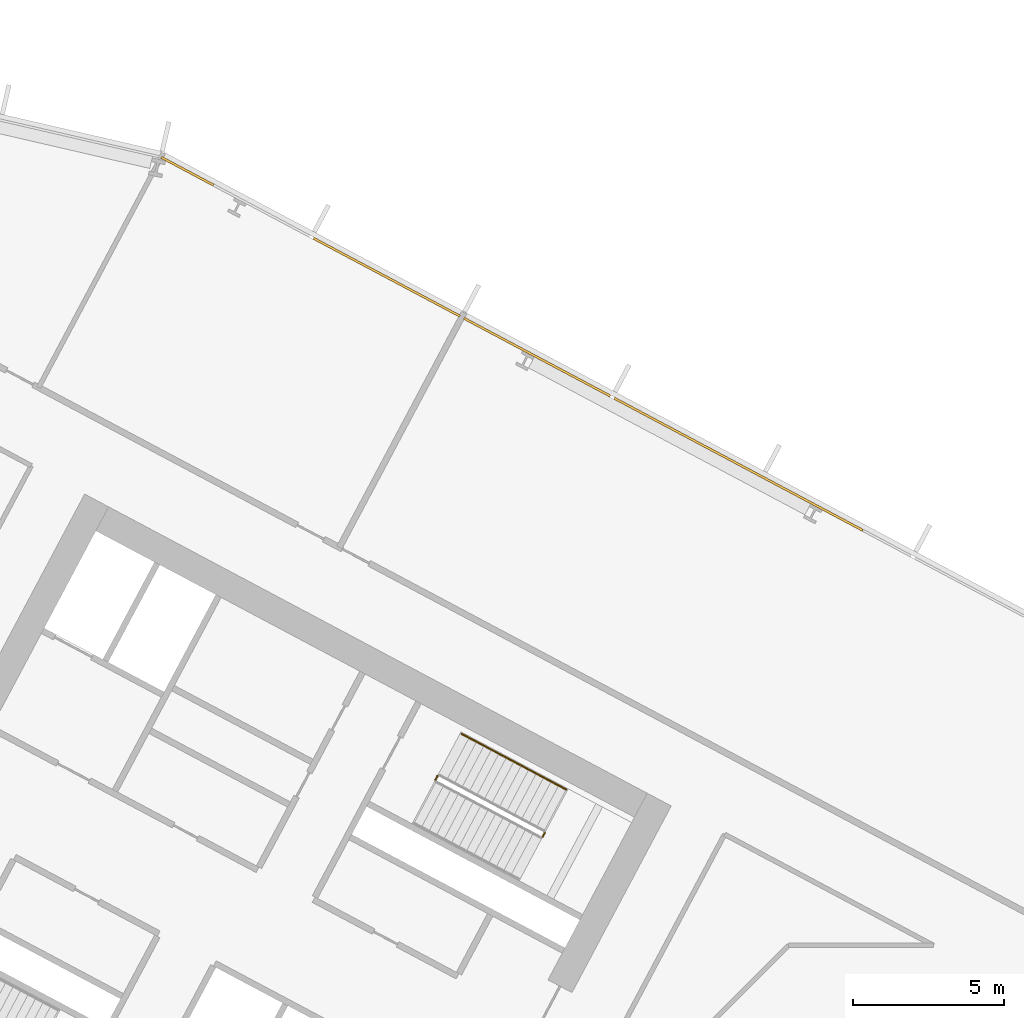
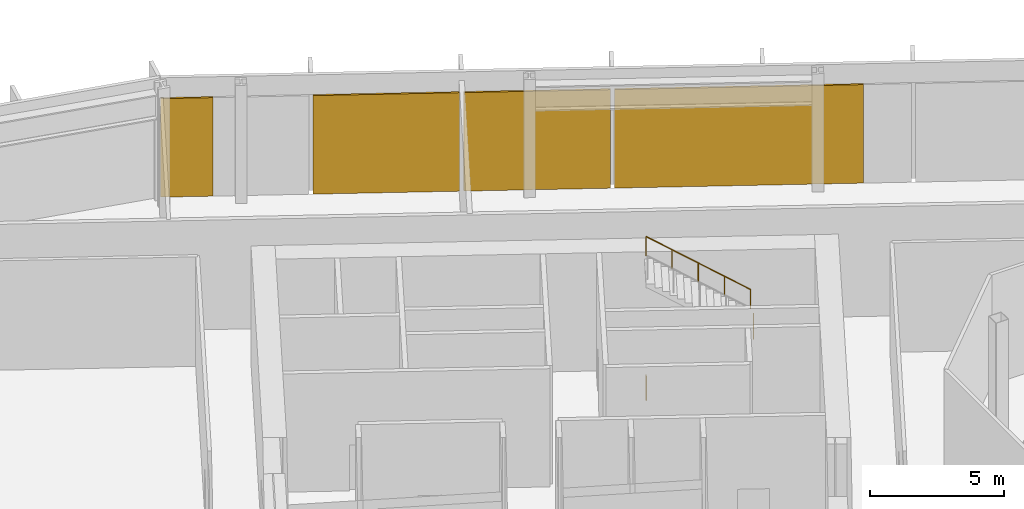
# One storey, part 25 of 32: 4 coverings, 3 railings, 1 element without a shape of its own.
"""IFC4 building model written with IfcOpenShell, lengths in metres."""

from ifc_helpers import new_model, si_unit, direction, frame, origin, origin_2d, place, context, subcontext, project, spatial, polyline, rectangle, outline, extrude, material, layer, layer_set, type_object, element, aggregate, save


model = new_model("IFC4")

# Units and contexts
model_context = context("Model", 3, precision=1e-05, world=origin(), true_north=direction((0.0, 1.0)))
body_context = subcontext(model_context, "Body", "Model", "MODEL_VIEW")
ifc_project = project(units=[si_unit("LENGTHUNIT", "METRE"), si_unit("AREAUNIT", "SQUARE_METRE"), si_unit("VOLUMEUNIT", "CUBIC_METRE"), si_unit("PLANEANGLEUNIT", "RADIAN"), si_unit("MASSUNIT", "GRAM", prefix="KILO")], contexts=[model_context])

# Site, building, storey
site_placement = place(None, origin())
site = spatial("IfcSite", under=ifc_project, at=site_placement, CompositionType="ELEMENT")
building_placement = place(site_placement, origin())
building = spatial("IfcBuilding", under=site, at=building_placement, Name="Cormorant Relay Tower", CompositionType="ELEMENT")
storey_placement = place(building_placement, frame((0.0, 0.0, 60.800048828125)))
storey = spatial("IfcBuildingStorey", under=building, at=storey_placement, Name="L11", CompositionType="ELEMENT", Elevation=60.800048828125)

# Curtain wall, coverings
ifc_material_1 = material(Name="Aluminium 6063-T6 anodised bronze", Category="aluminium")
ifc_layer_1 = layer(ifc_material_1, 0.235107421875)
ifc_layer_set_1 = layer_set([ifc_layer_1], Name="CW6 data hall curtain wall with mineral wool panels")
curtain_wall_type = type_object("IfcCurtainWallType", Name="CW6 data hall curtain wall with mineral wool panels", PredefinedType="NOTDEFINED", material=ifc_layer_set_1)
curtain_wall_placement = place(storey_placement, origin())
curtain_wall = element("IfcCurtainWall", 1, at=curtain_wall_placement, inside=storey, type_object=curtain_wall_type, Name="CW6 curtain wall 7", PredefinedType="NOTDEFINED")
ifc_material_2 = material(Name="Mineral wool cored anodised bronze aluminium cassette panel", Category="aluminium")
ifc_layer_2 = layer(ifc_material_2, 0.074951171875)
ifc_layer_set_2 = layer_set([ifc_layer_2], Name="CW6 mineral wool cassette panel 75")
covering_type = type_object("IfcCoveringType", Name="CW6 mineral wool cassette panel 75", PredefinedType="CLADDING", material=ifc_layer_set_2)
covering_1_placement = place(storey_placement, frame((-10.735107421875, 29.5341796875, 0.0), z_axis=(0.0, 0.0, 1.0), x_axis=(-0.882947592859, 0.469471562786, 0.0)))
covering_1 = element("IfcCovering", 2, at=covering_1_placement, type_object=covering_type, Name="CW6 panel S02", PredefinedType="CLADDING", context=body_context, shape_type="SweptSolid", body=[
    extrude(rectangle(XDim=9.327880859375, YDim=0.074951171875, at=origin_2d()), origin(), (0.0, 0.0, 1.0), 4.5),
])
covering_2_placement = place(storey_placement, frame((-17.40869140625, 33.082763671875, 0.0), z_axis=(0.0, 0.0, 1.0), x_axis=(-0.882947592859, 0.469471562786, 0.0)))
covering_2 = element("IfcCovering", 3, at=covering_2_placement, type_object=covering_type, Name="CW6 panel S03", PredefinedType="CLADDING", context=body_context, shape_type="SweptSolid", body=[
    extrude(rectangle(XDim=5.489013671875, YDim=0.074951171875, at=origin_2d()), origin(), (0.0, 0.0, 1.0), 4.5),
])
covering_3_placement = place(storey_placement, frame((-22.3876953125, 35.730224609375, 0.0), z_axis=(0.0, 0.0, 1.0), x_axis=(-0.882947592859, 0.469471562786, 0.0)))
covering_3 = element("IfcCovering", 4, at=covering_3_placement, type_object=covering_type, Name="CW6 panel S04", PredefinedType="CLADDING", context=body_context, shape_type="SweptSolid", body=[
    extrude(rectangle(XDim=5.489013671875, YDim=0.074951171875, at=origin_2d()), origin(), (0.0, 0.0, 1.0), 4.5),
])
covering_4_placement = place(storey_placement, frame((-28.989013671875, 39.240234375, 0.0), z_axis=(0.0, 0.0, 1.0), x_axis=(-0.882947592859, 0.469471562786, 0.0)))
covering_4 = element("IfcCovering", 5, at=covering_4_placement, type_object=covering_type, Name="CW6 panel S06", PredefinedType="CLADDING", context=body_context, shape_type="SweptSolid", body=[
    extrude(rectangle(XDim=1.964111328125, YDim=0.074951171875, at=origin_2d()), origin(), (0.0, 0.0, 1.0), 4.5),
])
aggregate(curtain_wall, [covering_1, covering_2, covering_3, covering_4])

# Railings
ifc_material_3 = material(Name="Steel ASTM A572 Grade 50 (Fy 345 MPa)", Category="steel")
railing_type_1 = type_object("IfcRailingType", Name="Stair guard 1100", PredefinedType="GUARDRAIL", material=ifc_material_3)
railing_1_placement = place(storey_placement, frame((-17.2216796875, 17.1982421875, 2.699951171875)))
element("IfcRailing", 6, at=railing_1_placement, inside=storey, type_object=railing_type_1, Name="L11 A1 stair guard 2", PredefinedType="GUARDRAIL", context=body_context, shape_type="SweptSolid", body=[
    extrude(outline(polyline([(0.022216796875, 0.00927734375), (0.00927734375, 0.022216796875), (-0.00927734375, 0.022216796875), (-0.022216796875, 0.00927734375), (-0.022216796875, -0.00927734375), (-0.00927734375, -0.022216796875), (0.00927734375, -0.022216796875), (0.022216796875, -0.00927734375), (0.022216796875, 0.00927734375)])), frame((0.0, 0.0, 1.076171875), z_axis=(0.469234640946, 0.883073525669, 0.0), x_axis=(-0.883073525669, 0.469234640946, 0.0)), (0.0, 0.0, 1.0), 0.14990234375),
    extrude(outline(polyline([(0.019287109375, 0.008056640625), (0.008056640625, 0.019287109375), (-0.008056640625, 0.019287109375), (-0.019287109375, 0.008056640625), (-0.019287109375, -0.008056640625), (-0.008056640625, -0.019287109375), (0.008056640625, -0.019287109375), (0.019287109375, -0.008056640625), (0.019287109375, 0.008056640625)])), origin(), (0.0, 0.0, 1.0), 1.052001953125),
    extrude(outline(polyline([(0.019287109375, 0.008056640625), (0.008056640625, 0.019287109375), (-0.008056640625, 0.019287109375), (-0.019287109375, 0.008056640625), (-0.019287109375, -0.008056640625), (-0.008056640625, -0.019287109375), (0.008056640625, -0.019287109375), (0.019287109375, -0.008056640625), (0.019287109375, 0.008056640625)])), frame((0.0703125, 0.13232421875, 0.0)), (0.0, 0.0, 1.0), 1.052001953125),
])
railing_2_placement = place(storey_placement, frame((-20.771240234375, 19.08544921875, 0.0)))
element("IfcRailing", 7, at=railing_2_placement, inside=storey, type_object=railing_type_1, Name="L11 A1 stair guard 4", PredefinedType="GUARDRAIL", context=body_context, shape_type="SweptSolid", body=[
    extrude(outline(polyline([(0.022216796875, 0.00927734375), (0.00927734375, 0.022216796875), (-0.00927734375, 0.022216796875), (-0.022216796875, 0.00927734375), (-0.022216796875, -0.00927734375), (-0.00927734375, -0.022216796875), (0.00927734375, -0.022216796875), (0.022216796875, -0.00927734375), (0.022216796875, 0.00927734375)])), frame((0.0, 0.0, 1.076171875), z_axis=(0.469828648786, 0.882757634224, 0.0), x_axis=(-0.882757634224, 0.469828648786, 0.0)), (0.0, 0.0, 1.0), 0.150146484375),
    extrude(outline(polyline([(0.019287109375, 0.008056640625), (0.008056640625, 0.019287109375), (-0.008056640625, 0.019287109375), (-0.019287109375, 0.008056640625), (-0.019287109375, -0.008056640625), (-0.008056640625, -0.019287109375), (0.008056640625, -0.019287109375), (0.019287109375, -0.008056640625), (0.019287109375, 0.008056640625)])), origin(), (0.0, 0.0, 1.0), 1.052001953125),
    extrude(outline(polyline([(0.019287109375, 0.008056640625), (0.008056640625, 0.019287109375), (-0.008056640625, 0.019287109375), (-0.019287109375, 0.008056640625), (-0.019287109375, -0.008056640625), (-0.008056640625, -0.019287109375), (0.008056640625, -0.019287109375), (0.019287109375, -0.008056640625), (0.019287109375, 0.008056640625)])), frame((0.070556640625, 0.132568359375, 0.0)), (0.0, 0.0, 1.0), 1.052001953125),
])
ifc_material_4 = material(Name="Steel ASTM A572 Grade 50 (Fy 345 MPa)", Category="steel")
railing_type_2 = type_object("IfcRailingType", Name="Stair handrail 900", PredefinedType="HANDRAIL", material=ifc_material_4)
railing_3_placement = place(storey_placement, frame((-16.4443359375, 18.766845703125, 2.8798828125)))
element("IfcRailing", 8, at=railing_3_placement, inside=storey, type_object=railing_type_2, Name="L11 A1 stair handrail 2", PredefinedType="HANDRAIL", context=body_context, shape_type="SweptSolid", body=[
    extrude(outline(polyline([(0.022216796875, 0.00927734375), (0.00927734375, 0.022216796875), (-0.00927734375, 0.022216796875), (-0.022216796875, 0.00927734375), (-0.022216796875, -0.00927734375), (-0.00927734375, -0.022216796875), (0.00927734375, -0.022216796875), (0.022216796875, -0.00927734375), (0.022216796875, 0.00927734375)])), frame((0.0, 0.0, 0.8759765625), z_axis=(-0.74271721126, 0.394907409077, 0.540758062681), x_axis=(-0.469469396681, -0.882948744594, 0.0)), (0.0, 0.0, 1.0), 4.66015625),
    extrude(outline(polyline([(0.019287109375, 0.008056640625), (0.008056640625, 0.019287109375), (-0.008056640625, 0.019287109375), (-0.019287109375, 0.008056640625), (-0.019287109375, -0.008056640625), (-0.008056640625, -0.019287109375), (0.008056640625, -0.019287109375), (0.019287109375, -0.008056640625), (0.019287109375, 0.008056640625)])), origin(), (0.0, 0.0, 1.0), 0.851806640625),
    extrude(outline(polyline([(0.019287109375, 0.008056640625), (0.008056640625, 0.019287109375), (-0.008056640625, 0.019287109375), (-0.019287109375, 0.008056640625), (-0.019287109375, -0.008056640625), (-0.008056640625, -0.019287109375), (0.008056640625, -0.019287109375), (0.019287109375, -0.008056640625), (0.019287109375, 0.008056640625)])), frame((-0.865234375, 0.4599609375, 0.6298828125)), (0.0, 0.0, 1.0), 0.851806640625),
    extrude(outline(polyline([(0.019287109375, 0.008056640625), (0.008056640625, 0.019287109375), (-0.008056640625, 0.019287109375), (-0.019287109375, 0.008056640625), (-0.019287109375, -0.008056640625), (-0.008056640625, -0.019287109375), (0.008056640625, -0.019287109375), (0.019287109375, -0.008056640625), (0.019287109375, 0.008056640625)])), frame((-1.73046875, 0.920166015625, 1.260009765625)), (0.0, 0.0, 1.0), 0.851806640625),
    extrude(outline(polyline([(0.019287109375, 0.008056640625), (0.008056640625, 0.019287109375), (-0.008056640625, 0.019287109375), (-0.019287109375, 0.008056640625), (-0.019287109375, -0.008056640625), (-0.008056640625, -0.019287109375), (0.008056640625, -0.019287109375), (0.019287109375, -0.008056640625), (0.019287109375, 0.008056640625)])), frame((-2.595947265625, 1.38037109375, 1.89013671875)), (0.0, 0.0, 1.0), 0.851806640625),
    extrude(outline(polyline([(0.019287109375, 0.008056640625), (0.008056640625, 0.019287109375), (-0.008056640625, 0.019287109375), (-0.019287109375, 0.008056640625), (-0.019287109375, -0.008056640625), (-0.008056640625, -0.019287109375), (0.008056640625, -0.019287109375), (0.019287109375, -0.008056640625), (0.019287109375, 0.008056640625)])), frame((-3.461181640625, 1.84033203125, 2.52001953125)), (0.0, 0.0, 1.0), 0.851806640625),
])

save(model, "model.ifc")
